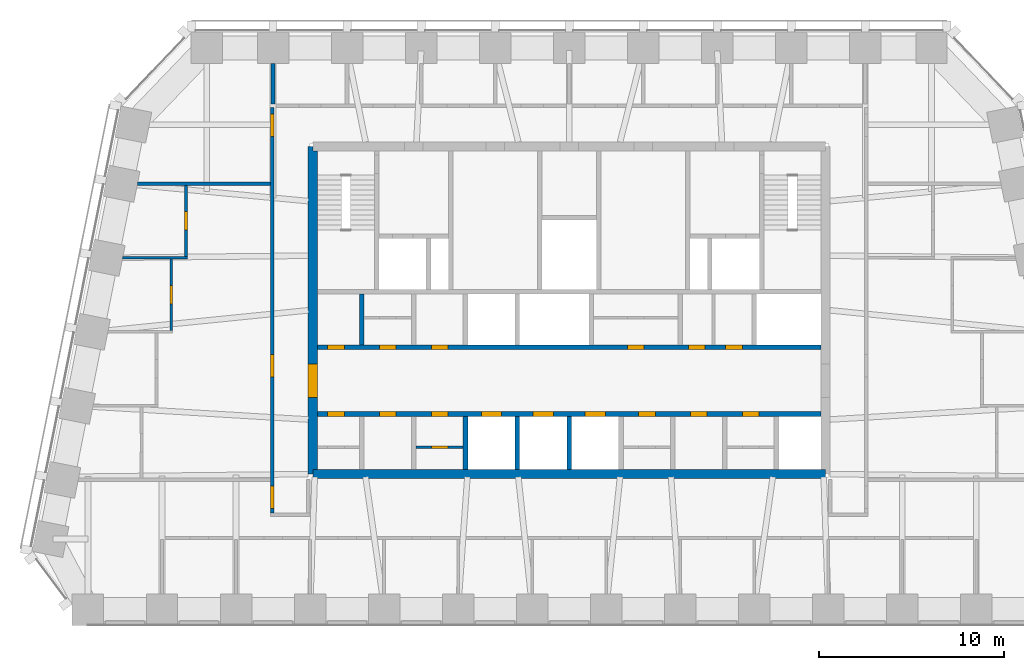
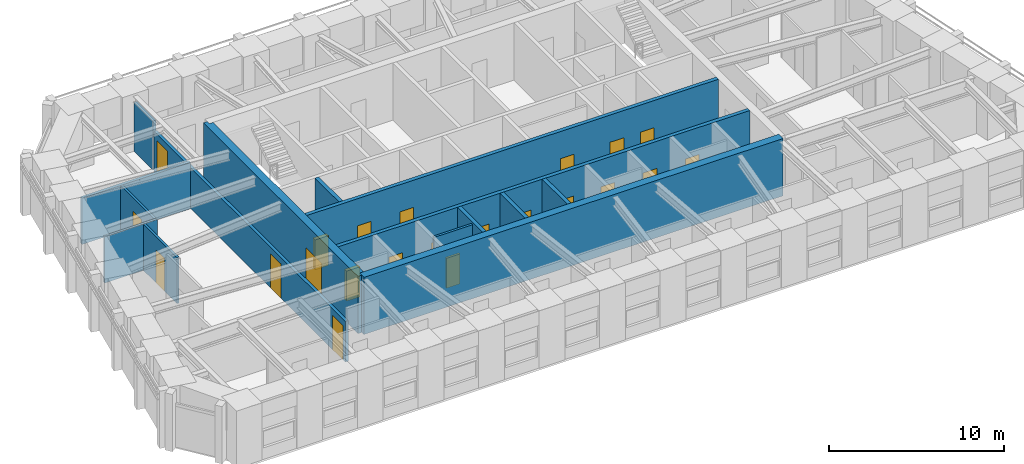
# One storey, part 5 of 10: 22 doors, 15 walls, 22 openings.
"""IFC4 building model written with IfcOpenShell, lengths in metres."""

from ifc_helpers import new_model, si_unit, direction, frame, frame_2d, origin, place, context, subcontext, project, spatial, polyline, rectangle, outline, extrude, material, layer, layer_set, type_object, element, fill, save


model = new_model("IFC4")

# Units and contexts
model_context = context("Model", 3, precision=1e-05, world=origin(), true_north=direction((0.0, 1.0)))
body_context = subcontext(model_context, "Body", "Model", "MODEL_VIEW")
ifc_project = project(units=[si_unit("LENGTHUNIT", "METRE"), si_unit("AREAUNIT", "SQUARE_METRE"), si_unit("VOLUMEUNIT", "CUBIC_METRE"), si_unit("PLANEANGLEUNIT", "RADIAN"), si_unit("MASSUNIT", "GRAM", prefix="KILO")], contexts=[model_context])

# Site, building, storey
site_placement = place(None, origin())
site = spatial("IfcSite", under=ifc_project, at=site_placement, CompositionType="ELEMENT")
building_placement = place(site_placement, origin())
building = spatial("IfcBuilding", under=site, at=building_placement, Name="Isbrekke Arena Tower", CompositionType="ELEMENT")
storey_placement = place(building_placement, frame((0.0, 0.0, 300.0)))
storey = spatial("IfcBuildingStorey", under=building, at=storey_placement, Name="L70", CompositionType="ELEMENT", Elevation=300.0)

# Wall
ifc_material_1 = material(Name="Concrete B55 (C55/67)", Category="concrete")
ifc_layer_1 = layer(ifc_material_1, 0.5)
ifc_layer_set_1 = layer_set([ifc_layer_1], Name="CW5 CORE WALL 500")
wall_type_1 = type_object("IfcWallType", Name="CW5 CORE WALL 500", PredefinedType="SHEAR", material=ifc_layer_set_1)
wall_1_placement = place(storey_placement, frame((-13.85009765625, 6.14990234375, 0.0), z_axis=(0.0, 0.0, 1.0), x_axis=(1.0, 0.0, 0.0)))
element("IfcWall", 1, at=wall_1_placement, inside=storey, type_object=wall_type_1, Name="Core wall S L70", PredefinedType="SHEAR", context=body_context, shape_type="SweptSolid", body=[
    extrude(rectangle(XDim=27.7001953125, YDim=0.5, at=frame_2d((13.85009765625, 0.0))), origin(), (0.0, 0.0, 1.0), 4.0),
])

# Wall, opening, door
wall_2_placement = place(storey_placement, frame((-13.85009765625, 23.85009765625, 0.0), z_axis=(0.0, 0.0, 1.0), x_axis=(0.0, -1.0, 0.0)))
wall_2 = element("IfcWall", 2, at=wall_2_placement, inside=storey, type_object=wall_type_1, Name="Core wall W L70", PredefinedType="SHEAR", context=body_context, shape_type="SweptSolid", body=[
    extrude(outline(polyline([(0.0, -0.25), (17.7001953125, -0.25), (17.7001953125, 0.0), (17.4501953125, 0.0), (17.4501953125, 0.25), (0.25, 0.25), (0.25, 0.0), (0.0, 0.0), (0.0, -0.25)])), origin(), (0.0, 0.0, 1.0), 4.0),
])
opening_1_placement = place(wall_2_placement, frame((11.75, 0.0, 0.0)))
opening_1 = element("IfcOpeningElement", 3, at=opening_1_placement, cuts=wall_2, Name="Opening D1", PredefinedType="OPENING", context=body_context, shape_type="SweptSolid", body=[
    extrude(rectangle(XDim=1.800048828125, YDim=2.39990234375, at=frame_2d((0.89990234375, 1.199951171875))), frame((0.0, 0.264892578125, 0.0), z_axis=(0.0, -1.0, 0.0), x_axis=(1.0, 0.0, 0.0)), (0.0, 0.0, 1.0), 0.52978515625),
])
ifc_material_2 = material(Name="Steel-framed glazed fire door", Category="steel")
door_type_1 = type_object("IfcDoorType", Name="D1 CORE LOBBY DOOR 1800 x 2400", OperationType="DOUBLE_DOOR_SINGLE_SWING", PredefinedType="DOOR", material=ifc_material_2)
door_1_placement = place(opening_1_placement, origin())
door_1 = element("IfcDoor", 4, at=door_1_placement, inside=storey, type_object=door_type_1, Name="D1 lift lobby door west L70", OperationType="DOUBLE_DOOR_SINGLE_SWING", OverallHeight=2.39990234375, OverallWidth=1.800048828125, PredefinedType="DOOR", context=body_context, shape_type="SweptSolid", body=[
    extrude(rectangle(XDim=1.800048828125, YDim=2.39990234375, at=frame_2d((0.89990234375, 1.199951171875))), frame((0.0, 0.249755859375, 0.0), z_axis=(0.0, -1.0, 0.0), x_axis=(1.0, 0.0, 0.0)), (0.0, 0.0, 1.0), 0.49951171875),
])
fill(opening_1, door_1)

# Wall, openings, doors
ifc_material_3 = material(Name="Concrete B45 (C45/55)", Category="concrete")
ifc_layer_2 = layer(ifc_material_3, 0.25)
ifc_layer_set_2 = layer_set([ifc_layer_2], Name="CW6 SHAFT WALL 250")
wall_type_2 = type_object("IfcWallType", Name="CW6 SHAFT WALL 250", PredefinedType="SHEAR", material=ifc_layer_set_2)
wall_3_placement = place(storey_placement, frame((-13.60009765625, 9.39990234375, 0.0), z_axis=(0.0, 0.0, 1.0), x_axis=(1.0, 0.0, 0.0)))
wall_3 = element("IfcWall", 5, at=wall_3_placement, inside=storey, type_object=wall_type_2, Name="Core wall LS L70", PredefinedType="SHEAR", context=body_context, shape_type="SweptSolid", body=[
    extrude(rectangle(XDim=27.2001953125, YDim=0.25, at=frame_2d((13.60009765625, 0.0))), origin(), (0.0, 0.0, 1.0), 4.0),
])
opening_2_placement = place(wall_3_placement, frame((8.85009765625, 0.0, 0.0)))
opening_2 = element("IfcOpeningElement", 6, at=opening_2_placement, cuts=wall_3, Name="Opening LD1", PredefinedType="OPENING", context=body_context, shape_type="SweptSolid", body=[
    extrude(rectangle(XDim=1.10009765625, YDim=2.10009765625, at=frame_2d((0.550048828125, 1.050048828125))), frame((0.0, 0.139892578125, 0.0), z_axis=(0.0, -1.0, 0.0), x_axis=(1.0, 0.0, 0.0)), (0.0, 0.0, 1.0), 0.27978515625),
])
opening_3_placement = place(wall_3_placement, frame((11.64990234375, 0.0, 0.0)))
opening_3 = element("IfcOpeningElement", 7, at=opening_3_placement, cuts=wall_3, Name="Opening LD1", PredefinedType="OPENING", context=body_context, shape_type="SweptSolid", body=[
    extrude(rectangle(XDim=1.10009765625, YDim=2.10009765625, at=frame_2d((0.550048828125, 1.050048828125))), frame((0.0, 0.139892578125, 0.0), z_axis=(0.0, -1.0, 0.0), x_axis=(1.0, 0.0, 0.0)), (0.0, 0.0, 1.0), 0.27978515625),
])
opening_4_placement = place(wall_3_placement, frame((14.449951171875, 0.0, 0.0)))
opening_4 = element("IfcOpeningElement", 8, at=opening_4_placement, cuts=wall_3, Name="Opening LD1", PredefinedType="OPENING", context=body_context, shape_type="SweptSolid", body=[
    extrude(rectangle(XDim=1.10009765625, YDim=2.10009765625, at=frame_2d((0.550048828125, 1.050048828125))), frame((0.0, 0.139892578125, 0.0), z_axis=(0.0, -1.0, 0.0), x_axis=(1.0, 0.0, 0.0)), (0.0, 0.0, 1.0), 0.27978515625),
])
opening_5_placement = place(wall_3_placement, frame((0.550048828125, 0.0, 0.0)))
opening_5 = element("IfcOpeningElement", 9, at=opening_5_placement, cuts=wall_3, Name="Opening D5", PredefinedType="OPENING", context=body_context, shape_type="SweptSolid", body=[
    extrude(rectangle(XDim=0.89990234375, YDim=2.10009765625, at=frame_2d((0.449951171875, 1.050048828125))), frame((0.0, 0.139892578125, 0.0), z_axis=(0.0, -1.0, 0.0), x_axis=(1.0, 0.0, 0.0)), (0.0, 0.0, 1.0), 0.27978515625),
])
opening_6_placement = place(wall_3_placement, frame((3.35009765625, 0.0, 0.0)))
opening_6 = element("IfcOpeningElement", 10, at=opening_6_placement, cuts=wall_3, Name="Opening D5", PredefinedType="OPENING", context=body_context, shape_type="SweptSolid", body=[
    extrude(rectangle(XDim=0.89990234375, YDim=2.10009765625, at=frame_2d((0.449951171875, 1.050048828125))), frame((0.0, 0.139892578125, 0.0), z_axis=(0.0, -1.0, 0.0), x_axis=(1.0, 0.0, 0.0)), (0.0, 0.0, 1.0), 0.27978515625),
])
opening_7_placement = place(wall_3_placement, frame((6.14990234375, 0.0, 0.0)))
opening_7 = element("IfcOpeningElement", 11, at=opening_7_placement, cuts=wall_3, Name="Opening D5", PredefinedType="OPENING", context=body_context, shape_type="SweptSolid", body=[
    extrude(rectangle(XDim=0.89990234375, YDim=2.10009765625, at=frame_2d((0.449951171875, 1.050048828125))), frame((0.0, 0.139892578125, 0.0), z_axis=(0.0, -1.0, 0.0), x_axis=(1.0, 0.0, 0.0)), (0.0, 0.0, 1.0), 0.27978515625),
])
opening_8_placement = place(wall_3_placement, frame((17.35009765625, 0.0, 0.0)))
opening_8 = element("IfcOpeningElement", 12, at=opening_8_placement, cuts=wall_3, Name="Opening D5", PredefinedType="OPENING", context=body_context, shape_type="SweptSolid", body=[
    extrude(rectangle(XDim=0.89990234375, YDim=2.10009765625, at=frame_2d((0.449951171875, 1.050048828125))), frame((0.0, 0.139892578125, 0.0), z_axis=(0.0, -1.0, 0.0), x_axis=(1.0, 0.0, 0.0)), (0.0, 0.0, 1.0), 0.27978515625),
])
opening_9_placement = place(wall_3_placement, frame((20.14990234375, 0.0, 0.0)))
opening_9 = element("IfcOpeningElement", 13, at=opening_9_placement, cuts=wall_3, Name="Opening D5", PredefinedType="OPENING", context=body_context, shape_type="SweptSolid", body=[
    extrude(rectangle(XDim=0.89990234375, YDim=2.10009765625, at=frame_2d((0.449951171875, 1.050048828125))), frame((0.0, 0.139892578125, 0.0), z_axis=(0.0, -1.0, 0.0), x_axis=(1.0, 0.0, 0.0)), (0.0, 0.0, 1.0), 0.27978515625),
])
opening_10_placement = place(wall_3_placement, frame((22.949951171875, 0.0, 0.0)))
opening_10 = element("IfcOpeningElement", 14, at=opening_10_placement, cuts=wall_3, Name="Opening D5", PredefinedType="OPENING", context=body_context, shape_type="SweptSolid", body=[
    extrude(rectangle(XDim=0.89990234375, YDim=2.10009765625, at=frame_2d((0.449951171875, 1.050048828125))), frame((0.0, 0.139892578125, 0.0), z_axis=(0.0, -1.0, 0.0), x_axis=(1.0, 0.0, 0.0)), (0.0, 0.0, 1.0), 0.27978515625),
])
ifc_material_4 = material(Name="Steel fire door", Category="steel")
door_type_2 = type_object("IfcDoorType", Name="D5 SERVICE DOOR 900 x 2100", OperationType="SINGLE_SWING_LEFT", PredefinedType="DOOR", material=ifc_material_4)
door_2_placement = place(opening_5_placement, origin())
door_2 = element("IfcDoor", 15, at=door_2_placement, inside=storey, type_object=door_type_2, Name="D5 tea point door L70", OperationType="SINGLE_SWING_LEFT", OverallHeight=2.10009765625, OverallWidth=0.89990234375, PredefinedType="DOOR", context=body_context, shape_type="SweptSolid", body=[
    extrude(rectangle(XDim=0.89990234375, YDim=2.10009765625, at=frame_2d((0.449951171875, 1.050048828125))), frame((0.0, 0.124755859375, 0.0), z_axis=(0.0, -1.0, 0.0), x_axis=(1.0, 0.0, 0.0)), (0.0, 0.0, 1.0), 0.24951171875),
])
fill(opening_5, door_2)
door_3_placement = place(opening_6_placement, origin())
door_3 = element("IfcDoor", 16, at=door_3_placement, inside=storey, type_object=door_type_2, Name="D5 technical room door L70", OperationType="SINGLE_SWING_LEFT", OverallHeight=2.10009765625, OverallWidth=0.89990234375, PredefinedType="DOOR", context=body_context, shape_type="SweptSolid", body=[
    extrude(rectangle(XDim=0.89990234375, YDim=2.10009765625, at=frame_2d((0.449951171875, 1.050048828125))), frame((0.0, 0.124755859375, 0.0), z_axis=(0.0, -1.0, 0.0), x_axis=(1.0, 0.0, 0.0)), (0.0, 0.0, 1.0), 0.24951171875),
])
fill(opening_6, door_3)
door_4_placement = place(opening_7_placement, origin())
door_4 = element("IfcDoor", 17, at=door_4_placement, inside=storey, type_object=door_type_2, Name="D5 mothers' room door L70", OperationType="SINGLE_SWING_LEFT", OverallHeight=2.10009765625, OverallWidth=0.89990234375, PredefinedType="DOOR", context=body_context, shape_type="SweptSolid", body=[
    extrude(rectangle(XDim=0.89990234375, YDim=2.10009765625, at=frame_2d((0.449951171875, 1.050048828125))), frame((0.0, 0.124755859375, 0.0), z_axis=(0.0, -1.0, 0.0), x_axis=(1.0, 0.0, 0.0)), (0.0, 0.0, 1.0), 0.24951171875),
])
fill(opening_7, door_4)
door_5_placement = place(opening_8_placement, origin())
door_5 = element("IfcDoor", 18, at=door_5_placement, inside=storey, type_object=door_type_2, Name="D5 first-aid room door L70", OperationType="SINGLE_SWING_LEFT", OverallHeight=2.10009765625, OverallWidth=0.89990234375, PredefinedType="DOOR", context=body_context, shape_type="SweptSolid", body=[
    extrude(rectangle(XDim=0.89990234375, YDim=2.10009765625, at=frame_2d((0.449951171875, 1.050048828125))), frame((0.0, 0.124755859375, 0.0), z_axis=(0.0, -1.0, 0.0), x_axis=(1.0, 0.0, 0.0)), (0.0, 0.0, 1.0), 0.24951171875),
])
fill(opening_8, door_5)
door_6_placement = place(opening_9_placement, origin())
door_6 = element("IfcDoor", 19, at=door_6_placement, inside=storey, type_object=door_type_2, Name="D5 archive door L70", OperationType="SINGLE_SWING_LEFT", OverallHeight=2.10009765625, OverallWidth=0.89990234375, PredefinedType="DOOR", context=body_context, shape_type="SweptSolid", body=[
    extrude(rectangle(XDim=0.89990234375, YDim=2.10009765625, at=frame_2d((0.449951171875, 1.050048828125))), frame((0.0, 0.124755859375, 0.0), z_axis=(0.0, -1.0, 0.0), x_axis=(1.0, 0.0, 0.0)), (0.0, 0.0, 1.0), 0.24951171875),
])
fill(opening_9, door_6)
door_7_placement = place(opening_10_placement, origin())
door_7 = element("IfcDoor", 20, at=door_7_placement, inside=storey, type_object=door_type_2, Name="D5 print room door L70", OperationType="SINGLE_SWING_LEFT", OverallHeight=2.10009765625, OverallWidth=0.89990234375, PredefinedType="DOOR", context=body_context, shape_type="SweptSolid", body=[
    extrude(rectangle(XDim=0.89990234375, YDim=2.10009765625, at=frame_2d((0.449951171875, 1.050048828125))), frame((0.0, 0.124755859375, 0.0), z_axis=(0.0, -1.0, 0.0), x_axis=(1.0, 0.0, 0.0)), (0.0, 0.0, 1.0), 0.24951171875),
])
fill(opening_10, door_7)
ifc_material_5 = material(Name="Stainless steel lift landing door", Category="steel")
door_type_3 = type_object("IfcDoorType", Name="LD1 LIFT LANDING DOOR 1100 x 2100", OperationType="SLIDING_TO_LEFT", PredefinedType="DOOR", material=ifc_material_5)
door_8_placement = place(opening_2_placement, origin())
door_8 = element("IfcDoor", 21, at=door_8_placement, inside=storey, type_object=door_type_3, Name="LD1 lift landing door LE L70", OperationType="SLIDING_TO_LEFT", OverallHeight=2.10009765625, OverallWidth=1.10009765625, PredefinedType="DOOR", context=body_context, shape_type="SweptSolid", body=[
    extrude(rectangle(XDim=1.10009765625, YDim=2.10009765625, at=frame_2d((0.550048828125, 1.050048828125))), frame((0.0, 0.124755859375, 0.0), z_axis=(0.0, -1.0, 0.0), x_axis=(1.0, 0.0, 0.0)), (0.0, 0.0, 1.0), 0.24951171875),
])
fill(opening_2, door_8)
door_9_placement = place(opening_3_placement, origin())
door_9 = element("IfcDoor", 22, at=door_9_placement, inside=storey, type_object=door_type_3, Name="LD1 lift landing door LE L70", OperationType="SLIDING_TO_LEFT", OverallHeight=2.10009765625, OverallWidth=1.10009765625, PredefinedType="DOOR", context=body_context, shape_type="SweptSolid", body=[
    extrude(rectangle(XDim=1.10009765625, YDim=2.10009765625, at=frame_2d((0.550048828125, 1.050048828125))), frame((0.0, 0.124755859375, 0.0), z_axis=(0.0, -1.0, 0.0), x_axis=(1.0, 0.0, 0.0)), (0.0, 0.0, 1.0), 0.24951171875),
])
fill(opening_3, door_9)
door_10_placement = place(opening_4_placement, origin())
door_10 = element("IfcDoor", 23, at=door_10_placement, inside=storey, type_object=door_type_3, Name="LD1 lift landing door LE L70", OperationType="SLIDING_TO_LEFT", OverallHeight=2.10009765625, OverallWidth=1.10009765625, PredefinedType="DOOR", context=body_context, shape_type="SweptSolid", body=[
    extrude(rectangle(XDim=1.10009765625, YDim=2.10009765625, at=frame_2d((0.550048828125, 1.050048828125))), frame((0.0, 0.124755859375, 0.0), z_axis=(0.0, -1.0, 0.0), x_axis=(1.0, 0.0, 0.0)), (0.0, 0.0, 1.0), 0.24951171875),
])
fill(opening_4, door_10)

wall_4_placement = place(storey_placement, frame((-13.60009765625, 13.0, 0.0), z_axis=(0.0, 0.0, 1.0), x_axis=(1.0, 0.0, 0.0)))
wall_4 = element("IfcWall", 24, at=wall_4_placement, inside=storey, type_object=wall_type_2, Name="Core wall LN L70", PredefinedType="SHEAR", context=body_context, shape_type="SweptSolid", body=[
    extrude(rectangle(XDim=27.2001953125, YDim=0.25, at=frame_2d((13.60009765625, 0.0))), origin(), (0.0, 0.0, 1.0), 4.0),
])
opening_11_placement = place(wall_4_placement, frame((16.75, 0.0, 0.0)))
opening_11 = element("IfcOpeningElement", 25, at=opening_11_placement, cuts=wall_4, Name="Opening D5", PredefinedType="OPENING", context=body_context, shape_type="SweptSolid", body=[
    extrude(rectangle(XDim=0.89990234375, YDim=2.10009765625, at=frame_2d((0.449951171875, 1.050048828125))), frame((0.0, 0.139892578125, 0.0), z_axis=(0.0, -1.0, 0.0), x_axis=(1.0, 0.0, 0.0)), (0.0, 0.0, 1.0), 0.27978515625),
])
opening_12_placement = place(wall_4_placement, frame((20.050048828125, 0.0, 0.0)))
opening_12 = element("IfcOpeningElement", 26, at=opening_12_placement, cuts=wall_4, Name="Opening D5", PredefinedType="OPENING", context=body_context, shape_type="SweptSolid", body=[
    extrude(rectangle(XDim=0.89990234375, YDim=2.10009765625, at=frame_2d((0.449951171875, 1.050048828125))), frame((0.0, 0.139892578125, 0.0), z_axis=(0.0, -1.0, 0.0), x_axis=(1.0, 0.0, 0.0)), (0.0, 0.0, 1.0), 0.27978515625),
])
opening_13_placement = place(wall_4_placement, frame((22.050048828125, 0.0, 0.0)))
opening_13 = element("IfcOpeningElement", 27, at=opening_13_placement, cuts=wall_4, Name="Opening D5", PredefinedType="OPENING", context=body_context, shape_type="SweptSolid", body=[
    extrude(rectangle(XDim=0.89990234375, YDim=2.10009765625, at=frame_2d((0.449951171875, 1.050048828125))), frame((0.0, 0.139892578125, 0.0), z_axis=(0.0, -1.0, 0.0), x_axis=(1.0, 0.0, 0.0)), (0.0, 0.0, 1.0), 0.27978515625),
])
opening_14_placement = place(wall_4_placement, frame((0.550048828125, 0.0, 0.0)))
opening_14 = element("IfcOpeningElement", 28, at=opening_14_placement, cuts=wall_4, Name="Opening D5", PredefinedType="OPENING", context=body_context, shape_type="SweptSolid", body=[
    extrude(rectangle(XDim=0.89990234375, YDim=2.10009765625, at=frame_2d((0.449951171875, 1.050048828125))), frame((0.0, 0.139892578125, 0.0), z_axis=(0.0, -1.0, 0.0), x_axis=(1.0, 0.0, 0.0)), (0.0, 0.0, 1.0), 0.27978515625),
])
opening_15_placement = place(wall_4_placement, frame((3.35009765625, 0.0, 0.0)))
opening_15 = element("IfcOpeningElement", 29, at=opening_15_placement, cuts=wall_4, Name="Opening D5", PredefinedType="OPENING", context=body_context, shape_type="SweptSolid", body=[
    extrude(rectangle(XDim=0.89990234375, YDim=2.10009765625, at=frame_2d((0.449951171875, 1.050048828125))), frame((0.0, 0.139892578125, 0.0), z_axis=(0.0, -1.0, 0.0), x_axis=(1.0, 0.0, 0.0)), (0.0, 0.0, 1.0), 0.27978515625),
])
opening_16_placement = place(wall_4_placement, frame((6.14990234375, 0.0, 0.0)))
opening_16 = element("IfcOpeningElement", 30, at=opening_16_placement, cuts=wall_4, Name="Opening D5", PredefinedType="OPENING", context=body_context, shape_type="SweptSolid", body=[
    extrude(rectangle(XDim=0.89990234375, YDim=2.10009765625, at=frame_2d((0.449951171875, 1.050048828125))), frame((0.0, 0.139892578125, 0.0), z_axis=(0.0, -1.0, 0.0), x_axis=(1.0, 0.0, 0.0)), (0.0, 0.0, 1.0), 0.27978515625),
])
door_11_placement = place(opening_11_placement, origin())
door_11 = element("IfcDoor", 31, at=door_11_placement, inside=storey, type_object=door_type_2, Name="D5 print room door L70", OperationType="SINGLE_SWING_LEFT", OverallHeight=2.10009765625, OverallWidth=0.89990234375, PredefinedType="DOOR", context=body_context, shape_type="SweptSolid", body=[
    extrude(rectangle(XDim=0.89990234375, YDim=2.10009765625, at=frame_2d((0.449951171875, 1.050048828125))), frame((0.0, 0.124755859375, 0.0), z_axis=(0.0, -1.0, 0.0), x_axis=(1.0, 0.0, 0.0)), (0.0, 0.0, 1.0), 0.24951171875),
])
fill(opening_11, door_11)
door_12_placement = place(opening_12_placement, origin())
door_12 = element("IfcDoor", 32, at=door_12_placement, inside=storey, type_object=door_type_2, Name="D5 cleaner's store door L70", OperationType="SINGLE_SWING_LEFT", OverallHeight=2.10009765625, OverallWidth=0.89990234375, PredefinedType="DOOR", context=body_context, shape_type="SweptSolid", body=[
    extrude(rectangle(XDim=0.89990234375, YDim=2.10009765625, at=frame_2d((0.449951171875, 1.050048828125))), frame((0.0, 0.124755859375, 0.0), z_axis=(0.0, -1.0, 0.0), x_axis=(1.0, 0.0, 0.0)), (0.0, 0.0, 1.0), 0.24951171875),
])
fill(opening_12, door_12)
door_13_placement = place(opening_13_placement, origin())
door_13 = element("IfcDoor", 33, at=door_13_placement, inside=storey, type_object=door_type_2, Name="D5 communications room door L70", OperationType="SINGLE_SWING_LEFT", OverallHeight=2.10009765625, OverallWidth=0.89990234375, PredefinedType="DOOR", context=body_context, shape_type="SweptSolid", body=[
    extrude(rectangle(XDim=0.89990234375, YDim=2.10009765625, at=frame_2d((0.449951171875, 1.050048828125))), frame((0.0, 0.124755859375, 0.0), z_axis=(0.0, -1.0, 0.0), x_axis=(1.0, 0.0, 0.0)), (0.0, 0.0, 1.0), 0.24951171875),
])
fill(opening_13, door_13)
door_14_placement = place(opening_14_placement, origin())
door_14 = element("IfcDoor", 34, at=door_14_placement, inside=storey, type_object=door_type_2, Name="D5 print room door L70", OperationType="SINGLE_SWING_LEFT", OverallHeight=2.10009765625, OverallWidth=0.89990234375, PredefinedType="DOOR", context=body_context, shape_type="SweptSolid", body=[
    extrude(rectangle(XDim=0.89990234375, YDim=2.10009765625, at=frame_2d((0.449951171875, 1.050048828125))), frame((0.0, 0.124755859375, 0.0), z_axis=(0.0, -1.0, 0.0), x_axis=(1.0, 0.0, 0.0)), (0.0, 0.0, 1.0), 0.24951171875),
])
fill(opening_14, door_14)
door_15_placement = place(opening_15_placement, origin())
door_15 = element("IfcDoor", 35, at=door_15_placement, inside=storey, type_object=door_type_2, Name="D5 tea point door L70", OperationType="SINGLE_SWING_LEFT", OverallHeight=2.10009765625, OverallWidth=0.89990234375, PredefinedType="DOOR", context=body_context, shape_type="SweptSolid", body=[
    extrude(rectangle(XDim=0.89990234375, YDim=2.10009765625, at=frame_2d((0.449951171875, 1.050048828125))), frame((0.0, 0.124755859375, 0.0), z_axis=(0.0, -1.0, 0.0), x_axis=(1.0, 0.0, 0.0)), (0.0, 0.0, 1.0), 0.24951171875),
])
fill(opening_15, door_15)
door_16_placement = place(opening_16_placement, origin())
door_16 = element("IfcDoor", 36, at=door_16_placement, inside=storey, type_object=door_type_2, Name="D5 tenant store door L70", OperationType="SINGLE_SWING_LEFT", OverallHeight=2.10009765625, OverallWidth=0.89990234375, PredefinedType="DOOR", context=body_context, shape_type="SweptSolid", body=[
    extrude(rectangle(XDim=0.89990234375, YDim=2.10009765625, at=frame_2d((0.449951171875, 1.050048828125))), frame((0.0, 0.124755859375, 0.0), z_axis=(0.0, -1.0, 0.0), x_axis=(1.0, 0.0, 0.0)), (0.0, 0.0, 1.0), 0.24951171875),
])
fill(opening_16, door_16)

# Walls
for number, where, z_axis, x_axis, name in (
    (37, (-5.60009765625, 6.39990234375, 0.0), (0.0, 0.0, 1.0), (0.0, 1.0, 0.0), "Core wall SS03 L70"),
    (38, (-2.800048828125, 6.39990234375, 0.0), (0.0, 0.0, 1.0), (0.0, 1.0, 0.0), "Core wall SS04 L70"),
    (39, (0.0, 6.39990234375, 0.0), (0.0, 0.0, 1.0), (0.0, 1.0, 0.0), "Core wall SS05 L70"),
):
    element("IfcWall", number, at=place(storey_placement, frame(where, z_axis=z_axis, x_axis=x_axis)), inside=storey, type_object=wall_type_2, Name=name, PredefinedType="SHEAR", context=body_context, shape_type="SweptSolid", body=[
        extrude(rectangle(XDim=2.875, YDim=0.25, at=frame_2d((1.4375, 0.0))), origin(), (0.0, 0.0, 1.0), 4.0),
    ])
wall_5_placement = place(storey_placement, frame((-11.199951171875, 13.125, 0.0), z_axis=(0.0, 0.0, 1.0), x_axis=(0.0, 1.0, 0.0)))
element("IfcWall", 40, at=wall_5_placement, inside=storey, type_object=wall_type_2, Name="Core wall SN01 L70", PredefinedType="SHEAR", context=body_context, shape_type="SweptSolid", body=[
    extrude(rectangle(XDim=2.75, YDim=0.25, at=frame_2d((1.375, 0.0))), origin(), (0.0, 0.0, 1.0), 4.0),
])
ifc_material_6 = material(Name="Gypsum board partition on steel studs", Category="steel")
ifc_layer_3 = layer(ifc_material_6, 0.14990234375)
ifc_layer_set_3 = layer_set([ifc_layer_3], Name="IW1 PARTITION 150")
wall_type_3 = type_object("IfcWallType", Name="IW1 PARTITION 150", PredefinedType="PARTITIONING", material=ifc_layer_set_3)
wall_6_placement = place(storey_placement, frame((-24.123779296875, 17.840087890625, 0.0), z_axis=(0.0, 0.0, 1.0), x_axis=(1.0, 0.0, 0.0)))
element("IfcWall", 41, at=wall_6_placement, inside=storey, type_object=wall_type_3, Name="IW1 partition 150 L70", PredefinedType="PARTITIONING", context=body_context, shape_type="SweptSolid", body=[
    extrude(rectangle(XDim=3.498779296875, YDim=0.14990234375, at=frame_2d((1.74951171875, 0.0))), origin(), (0.0, 0.0, 1.0), 3.22998046875),
])

# Wall, opening, door
wall_7_placement = place(storey_placement, frame((-21.5, 13.9150390625, 0.0), z_axis=(0.0, 0.0, 1.0), x_axis=(0.0, 1.0, 0.0)))
wall_7 = element("IfcWall", 42, at=wall_7_placement, inside=storey, type_object=wall_type_3, Name="IW1 partition 150 L70", PredefinedType="PARTITIONING", context=body_context, shape_type="SweptSolid", body=[
    extrude(rectangle(XDim=3.849853515625, YDim=0.14990234375, at=frame_2d((1.9248046875, 0.0))), origin(), (0.0, 0.0, 1.0), 3.22998046875),
])
opening_17_placement = place(wall_7_placement, frame((1.425048828125, 0.0, 0.0)))
opening_17 = element("IfcOpeningElement", 43, at=opening_17_placement, cuts=wall_7, Name="Opening D10", PredefinedType="OPENING", context=body_context, shape_type="SweptSolid", body=[
    extrude(rectangle(XDim=1.0, YDim=2.300048828125, at=frame_2d((0.5, 1.14990234375))), frame((0.0, 0.08984375, 0.0), z_axis=(0.0, -1.0, 0.0), x_axis=(1.0, 0.0, 0.0)), (0.0, 0.0, 1.0), 0.1796875),
])
ifc_material_7 = material(Name="Timber door", Category="wood")
door_type_4 = type_object("IfcDoorType", Name="D10 OFFICE DOOR 1000 x 2300", OperationType="SINGLE_SWING_LEFT", PredefinedType="DOOR", material=ifc_material_7)
door_17_placement = place(opening_17_placement, origin())
door_17 = element("IfcDoor", 44, at=door_17_placement, inside=storey, type_object=door_type_4, Name="D10 executive office door L70", OperationType="SINGLE_SWING_LEFT", OverallHeight=2.300048828125, OverallWidth=1.0, PredefinedType="DOOR", context=body_context, shape_type="SweptSolid", body=[
    extrude(rectangle(XDim=1.0, YDim=2.300048828125, at=frame_2d((0.5, 1.14990234375))), frame((0.0, 0.07470703125, 0.0), z_axis=(0.0, -1.0, 0.0), x_axis=(1.0, 0.0, 0.0)), (0.0, 0.0, 1.0), 0.1494140625),
])
fill(opening_17, door_17)

wall_8_placement = place(storey_placement, frame((-20.699951171875, 17.9150390625, 0.0), z_axis=(0.0, 0.0, 1.0), x_axis=(0.0, 1.0, 0.0)))
wall_8 = element("IfcWall", 45, at=wall_8_placement, inside=storey, type_object=wall_type_3, Name="IW1 partition 150 L70", PredefinedType="PARTITIONING", context=body_context, shape_type="SweptSolid", body=[
    extrude(rectangle(XDim=3.824951171875, YDim=0.14990234375, at=frame_2d((1.91259765625, 0.0))), origin(), (0.0, 0.0, 1.0), 3.22998046875),
])
opening_18_placement = place(wall_8_placement, frame((1.425048828125, 0.0, 0.0)))
opening_18 = element("IfcOpeningElement", 46, at=opening_18_placement, cuts=wall_8, Name="Opening D10", PredefinedType="OPENING", context=body_context, shape_type="SweptSolid", body=[
    extrude(rectangle(XDim=1.0, YDim=2.300048828125, at=frame_2d((0.5, 1.14990234375))), frame((0.0, 0.08984375, 0.0), z_axis=(0.0, -1.0, 0.0), x_axis=(1.0, 0.0, 0.0)), (0.0, 0.0, 1.0), 0.1796875),
])
door_18_placement = place(opening_18_placement, origin())
door_18 = element("IfcDoor", 47, at=door_18_placement, inside=storey, type_object=door_type_4, Name="D10 executive office door L70", OperationType="SINGLE_SWING_LEFT", OverallHeight=2.300048828125, OverallWidth=1.0, PredefinedType="DOOR", context=body_context, shape_type="SweptSolid", body=[
    extrude(rectangle(XDim=1.0, YDim=2.300048828125, at=frame_2d((0.5, 1.14990234375))), frame((0.0, 0.07470703125, 0.0), z_axis=(0.0, -1.0, 0.0), x_axis=(1.0, 0.0, 0.0)), (0.0, 0.0, 1.0), 0.1494140625),
])
fill(opening_18, door_18)

# Wall
ifc_material_8 = material(Name="Gypsum board fire-cell wall on steel studs, two layers each side", Category="steel")
ifc_layer_4 = layer(ifc_material_8, 0.199951171875)
ifc_layer_set_4 = layer_set([ifc_layer_4], Name="IW3 FIRE-CELL WALL 200")
wall_type_4 = type_object("IfcWallType", Name="IW3 FIRE-CELL WALL 200", PredefinedType="PARTITIONING", material=ifc_layer_set_4)
wall_9_placement = place(storey_placement, frame((-23.32373046875, 21.840087890625, 0.0), z_axis=(0.0, 0.0, 1.0), x_axis=(1.0, 0.0, 0.0)))
element("IfcWall", 48, at=wall_9_placement, inside=storey, type_object=wall_type_4, Name="IW3 fire-cell wall 200 L70", PredefinedType="PARTITIONING", context=body_context, shape_type="SweptSolid", body=[
    extrude(rectangle(XDim=7.173828125, YDim=0.199951171875, at=frame_2d((3.5869140625, 0.0))), origin(), (0.0, 0.0, 1.0), 3.22998046875),
])

# Wall, openings, doors
wall_10_placement = place(storey_placement, frame((-16.050048828125, 4.050048828125, 0.0), z_axis=(0.0, 0.0, 1.0), x_axis=(0.0, 1.0, 0.0)))
wall_10 = element("IfcWall", 49, at=wall_10_placement, inside=storey, type_object=wall_type_4, Name="IW3 fire-cell wall 200 L70", PredefinedType="PARTITIONING", context=body_context, shape_type="SweptSolid", body=[
    extrude(rectangle(XDim=21.89990234375, YDim=0.199951171875, at=frame_2d((10.949951171875, 0.0))), origin(), (0.0, 0.0, 1.0), 2.842041015625),
])
opening_19_placement = place(wall_10_placement, frame((0.25, 0.0, 0.0)))
opening_19 = element("IfcOpeningElement", 50, at=opening_19_placement, cuts=wall_10, Name="Opening D12", PredefinedType="OPENING", context=body_context, shape_type="SweptSolid", body=[
    extrude(rectangle(XDim=1.199951171875, YDim=2.39990234375, at=frame_2d((0.60009765625, 1.199951171875))), frame((0.0, 0.11474609375, 0.0), z_axis=(0.0, -1.0, 0.0), x_axis=(1.0, 0.0, 0.0)), (0.0, 0.0, 1.0), 0.229736328125),
])
opening_20_placement = place(wall_10_placement, frame((7.35009765625, 0.0, 0.0)))
opening_20 = element("IfcOpeningElement", 51, at=opening_20_placement, cuts=wall_10, Name="Opening D12", PredefinedType="OPENING", context=body_context, shape_type="SweptSolid", body=[
    extrude(rectangle(XDim=1.199951171875, YDim=2.39990234375, at=frame_2d((0.60009765625, 1.199951171875))), frame((0.0, 0.11474609375, 0.0), z_axis=(0.0, -1.0, 0.0), x_axis=(1.0, 0.0, 0.0)), (0.0, 0.0, 1.0), 0.229736328125),
])
opening_21_placement = place(wall_10_placement, frame((20.35009765625, 0.0, 0.0)))
opening_21 = element("IfcOpeningElement", 52, at=opening_21_placement, cuts=wall_10, Name="Opening D12", PredefinedType="OPENING", context=body_context, shape_type="SweptSolid", body=[
    extrude(rectangle(XDim=1.199951171875, YDim=2.39990234375, at=frame_2d((0.60009765625, 1.199951171875))), frame((0.0, 0.11474609375, 0.0), z_axis=(0.0, -1.0, 0.0), x_axis=(1.0, 0.0, 0.0)), (0.0, 0.0, 1.0), 0.229736328125),
])
ifc_material_9 = material(Name="Timber fire door with vision panel", Category="wood")
door_type_5 = type_object("IfcDoorType", Name="D12 SUITE ENTRANCE DOOR 1200 x 2400", OperationType="SINGLE_SWING_LEFT", PredefinedType="DOOR", material=ifc_material_9)
door_19_placement = place(opening_19_placement, origin())
door_19 = element("IfcDoor", 53, at=door_19_placement, inside=storey, type_object=door_type_5, Name="D12 suite entrance S door L70", OperationType="SINGLE_SWING_LEFT", OverallHeight=2.39990234375, OverallWidth=1.199951171875, PredefinedType="DOOR", context=body_context, shape_type="SweptSolid", body=[
    extrude(rectangle(XDim=1.199951171875, YDim=2.39990234375, at=frame_2d((0.60009765625, 1.199951171875))), frame((0.0, 0.099609375, 0.0), z_axis=(0.0, -1.0, 0.0), x_axis=(1.0, 0.0, 0.0)), (0.0, 0.0, 1.0), 0.199462890625),
])
fill(opening_19, door_19)
door_20_placement = place(opening_20_placement, origin())
door_20 = element("IfcDoor", 54, at=door_20_placement, inside=storey, type_object=door_type_5, Name="D12 suite entrance W door L70", OperationType="SINGLE_SWING_LEFT", OverallHeight=2.39990234375, OverallWidth=1.199951171875, PredefinedType="DOOR", context=body_context, shape_type="SweptSolid", body=[
    extrude(rectangle(XDim=1.199951171875, YDim=2.39990234375, at=frame_2d((0.60009765625, 1.199951171875))), frame((0.0, 0.099609375, 0.0), z_axis=(0.0, -1.0, 0.0), x_axis=(1.0, 0.0, 0.0)), (0.0, 0.0, 1.0), 0.199462890625),
])
fill(opening_20, door_20)
door_21_placement = place(opening_21_placement, origin())
door_21 = element("IfcDoor", 55, at=door_21_placement, inside=storey, type_object=door_type_5, Name="D12 suite entrance NCW door L70", OperationType="SINGLE_SWING_LEFT", OverallHeight=2.39990234375, OverallWidth=1.199951171875, PredefinedType="DOOR", context=body_context, shape_type="SweptSolid", body=[
    extrude(rectangle(XDim=1.199951171875, YDim=2.39990234375, at=frame_2d((0.60009765625, 1.199951171875))), frame((0.0, 0.099609375, 0.0), z_axis=(0.0, -1.0, 0.0), x_axis=(1.0, 0.0, 0.0)), (0.0, 0.0, 1.0), 0.199462890625),
])
fill(opening_21, door_21)

# Wall
wall_11_placement = place(storey_placement, frame((-16.0, 26.14990234375, 0.0), z_axis=(0.0, 0.0, 1.0), x_axis=(0.0, 1.0, 0.0)))
element("IfcWall", 56, at=wall_11_placement, inside=storey, type_object=wall_type_4, Name="IW3 fire-cell wall 200 L70", PredefinedType="PARTITIONING", context=body_context, shape_type="SweptSolid", body=[
    extrude(rectangle(XDim=2.175048828125, YDim=0.199951171875, at=frame_2d((1.08740234375, 0.0))), origin(), (0.0, 0.0, 1.0), 3.41796875),
])

# Wall, opening, door
ifc_material_10 = material(Name="Gypsum board fire-rated partition on steel studs, two layers each side", Category="steel")
ifc_layer_5 = layer(ifc_material_10, 0.14990234375)
ifc_layer_set_5 = layer_set([ifc_layer_5], Name="IW5 FIRE-RATED PARTITION 150")
wall_type_5 = type_object("IfcWallType", Name="IW5 FIRE-RATED PARTITION 150", PredefinedType="PARTITIONING", material=ifc_layer_set_5)
wall_12_placement = place(storey_placement, frame((-8.27490234375, 7.60009765625, 0.0), z_axis=(0.0, 0.0, 1.0), x_axis=(1.0, 0.0, 0.0)))
wall_12 = element("IfcWall", 57, at=wall_12_placement, inside=storey, type_object=wall_type_5, Name="IW5 fire-rated partition L70 core service rooms 5", PredefinedType="PARTITIONING", context=body_context, shape_type="SweptSolid", body=[
    extrude(rectangle(XDim=2.5498046875, YDim=0.14990234375, at=frame_2d((1.27490234375, 0.0))), origin(), (0.0, 0.0, 1.0), 3.85009765625),
])
opening_22_placement = place(wall_12_placement, frame((0.824951171875, 0.0, 0.0)))
opening_22 = element("IfcOpeningElement", 58, at=opening_22_placement, cuts=wall_12, Name="Opening D5", PredefinedType="OPENING", context=body_context, shape_type="SweptSolid", body=[
    extrude(rectangle(XDim=0.89990234375, YDim=2.10009765625, at=frame_2d((0.449951171875, 1.050048828125))), frame((0.0, 0.08984375, 0.0), z_axis=(0.0, -1.0, 0.0), x_axis=(1.0, 0.0, 0.0)), (0.0, 0.0, 1.0), 0.1796875),
])
door_22_placement = place(opening_22_placement, origin())
door_22 = element("IfcDoor", 59, at=door_22_placement, inside=storey, type_object=door_type_2, Name="D5 store door L70", OperationType="SINGLE_SWING_LEFT", OverallHeight=2.10009765625, OverallWidth=0.89990234375, PredefinedType="DOOR", context=body_context, shape_type="SweptSolid", body=[
    extrude(rectangle(XDim=0.89990234375, YDim=2.10009765625, at=frame_2d((0.449951171875, 1.050048828125))), frame((0.0, 0.07470703125, 0.0), z_axis=(0.0, -1.0, 0.0), x_axis=(1.0, 0.0, 0.0)), (0.0, 0.0, 1.0), 0.1494140625),
])
fill(opening_22, door_22)

save(model, "model.ifc")
